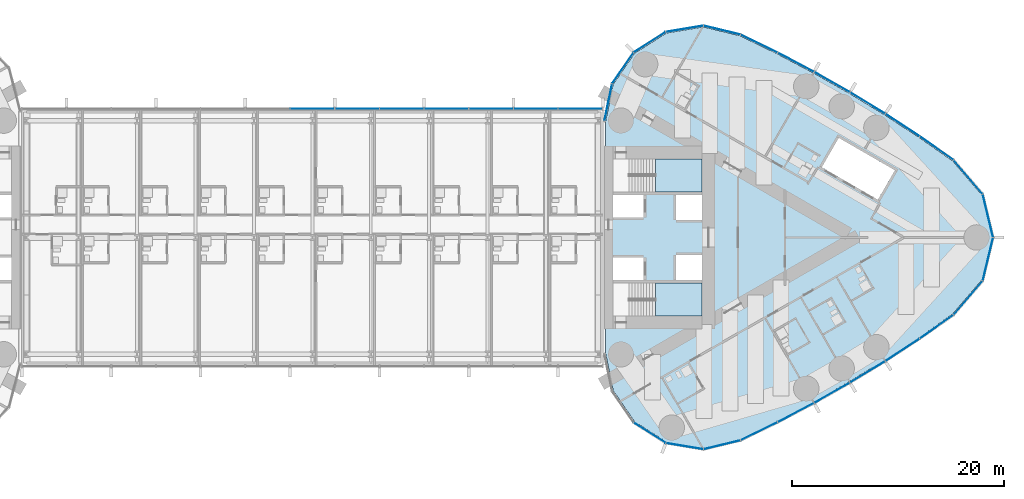
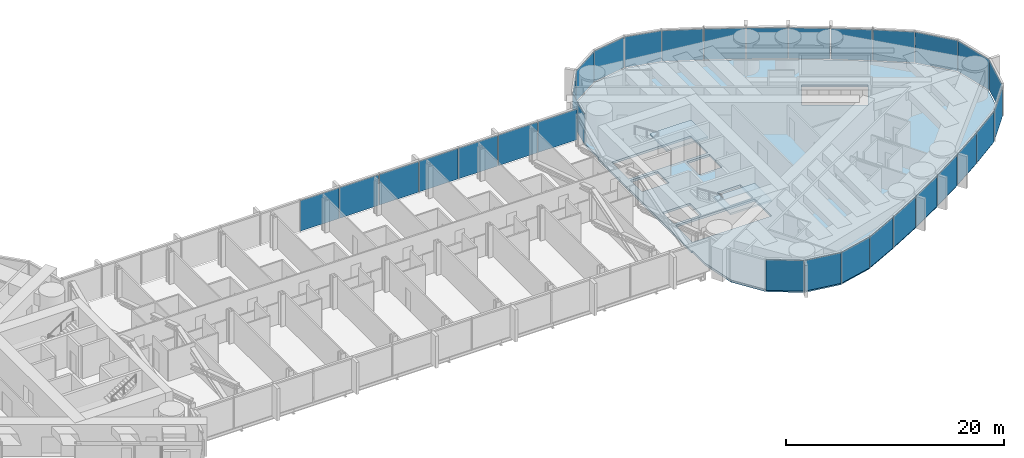
# One storey, part 13 of 23: 31 plates, 3 slabs, 4 elements without a shape of their own.
"""IFC4 building model written with IfcOpenShell, lengths in metres."""

from ifc_helpers import new_model, si_unit, direction, frame, origin, origin_2d, place, context, subcontext, project, spatial, polyline, rectangle, outline, extrude, material, layer, layer_set, type_object, element, aggregate, save


model = new_model("IFC4")

# Units and contexts
model_context = context("Model", 3, precision=1e-05, world=origin(), true_north=direction((0.0, 1.0)))
body_context = subcontext(model_context, "Body", "Model", "MODEL_VIEW")
ifc_project = project(units=[si_unit("LENGTHUNIT", "METRE"), si_unit("AREAUNIT", "SQUARE_METRE"), si_unit("VOLUMEUNIT", "CUBIC_METRE"), si_unit("PLANEANGLEUNIT", "RADIAN"), si_unit("MASSUNIT", "GRAM", prefix="KILO")], contexts=[model_context])

# Site, building, storey
site_placement = place(None, origin())
site = spatial("IfcSite", under=ifc_project, at=site_placement, CompositionType="ELEMENT")
building_placement = place(site_placement, origin())
building = spatial("IfcBuilding", under=site, at=building_placement, Name="Lancet Gate Hotel", CompositionType="ELEMENT")
storey_placement = place(building_placement, frame((0.0, 0.0, 222.5)))
storey = spatial("IfcBuildingStorey", under=building, at=storey_placement, Name="L59", CompositionType="ELEMENT", Elevation=222.5)

# Curtain wall, plates
ifc_material_1 = material(Name="Aluminium curtain wall", Category="aluminium")
curtain_wall_type_1 = type_object("IfcCurtainWallType", Name="Bridge block curtain wall", PredefinedType="USERDEFINED", material=ifc_material_1)
curtain_wall_1_placement = place(storey_placement, origin())
curtain_wall_1 = element("IfcCurtainWall", 1, at=curtain_wall_1_placement, inside=storey, type_object=curtain_wall_type_1, Name="Bridge block L59 curtain wall N", ObjectType="UNITISED CURTAIN WALL", PredefinedType="USERDEFINED")
ifc_material_2 = material(Name="Glass double glazed unit 8-16-6", Category="glass")
ifc_layer_1 = layer(ifc_material_2, 0.030029296875)
ifc_layer_set_1 = layer_set([ifc_layer_1], Name="Block vision panel")
plate_type_1 = type_object("IfcPlateType", Name="Block vision panel", PredefinedType="CURTAIN_PANEL", material=ifc_layer_set_1)
plate_1_placement = place(storey_placement, frame((25.24609375, 12.1201171875, 0.0), z_axis=(0.0, 0.0, 1.0), x_axis=(-1.0, 0.0, 0.0)))
plate_1 = element("IfcPlate", 2, at=plate_1_placement, type_object=plate_type_1, Name="Bridge block L59 curtain wall N panel 1", PredefinedType="CURTAIN_PANEL", context=body_context, shape_type="SweptSolid", body=[
    extrude(rectangle(XDim=4.142578125, YDim=0.030029296875, at=origin_2d()), origin(), (0.0, 0.0, 1.0), 3.449951171875),
])
plate_2_placement = place(storey_placement, frame((21.03857421875, 12.1201171875, 0.0), z_axis=(0.0, 0.0, 1.0), x_axis=(-1.0, 0.0, 0.0)))
plate_2 = element("IfcPlate", 3, at=plate_2_placement, type_object=plate_type_1, Name="Bridge block L59 curtain wall N panel 2", PredefinedType="CURTAIN_PANEL", context=body_context, shape_type="SweptSolid", body=[
    extrude(rectangle(XDim=4.142578125, YDim=0.030029296875, at=origin_2d()), origin(), (0.0, 0.0, 1.0), 3.449951171875),
])
plate_3_placement = place(storey_placement, frame((16.830810546875, 12.1201171875, 0.0), z_axis=(0.0, 0.0, 1.0), x_axis=(-1.0, 0.0, 0.0)))
plate_3 = element("IfcPlate", 4, at=plate_3_placement, type_object=plate_type_1, Name="Bridge block L59 curtain wall N panel 3", PredefinedType="CURTAIN_PANEL", context=body_context, shape_type="SweptSolid", body=[
    extrude(rectangle(XDim=4.142578125, YDim=0.030029296875, at=origin_2d()), origin(), (0.0, 0.0, 1.0), 3.449951171875),
])
plate_4_placement = place(storey_placement, frame((12.623046875, 12.1201171875, 0.0), z_axis=(0.0, 0.0, 1.0), x_axis=(-1.0, 0.0, 0.0)))
plate_4 = element("IfcPlate", 5, at=plate_4_placement, type_object=plate_type_1, Name="Bridge block L59 curtain wall N panel 4", PredefinedType="CURTAIN_PANEL", context=body_context, shape_type="SweptSolid", body=[
    extrude(rectangle(XDim=4.142578125, YDim=0.030029296875, at=origin_2d()), origin(), (0.0, 0.0, 1.0), 3.449951171875),
])
plate_5_placement = place(storey_placement, frame((8.415283203125, 12.1201171875, 0.0), z_axis=(0.0, 0.0, 1.0), x_axis=(-1.0, 0.0, 0.0)))
plate_5 = element("IfcPlate", 6, at=plate_5_placement, type_object=plate_type_1, Name="Bridge block L59 curtain wall N panel 5", PredefinedType="CURTAIN_PANEL", context=body_context, shape_type="SweptSolid", body=[
    extrude(rectangle(XDim=4.142578125, YDim=0.030029296875, at=origin_2d()), origin(), (0.0, 0.0, 1.0), 3.449951171875),
])
plate_6_placement = place(storey_placement, frame((4.207763671875, 12.1201171875, 0.0), z_axis=(0.0, 0.0, 1.0), x_axis=(-1.0, 0.0, 0.0)))
plate_6 = element("IfcPlate", 7, at=plate_6_placement, type_object=plate_type_1, Name="Bridge block L59 curtain wall N panel 6", PredefinedType="CURTAIN_PANEL", context=body_context, shape_type="SweptSolid", body=[
    extrude(rectangle(XDim=4.142578125, YDim=0.030029296875, at=origin_2d()), origin(), (0.0, 0.0, 1.0), 3.449951171875),
])
plate_7_placement = place(storey_placement, frame((0.0, 12.1201171875, 0.0), z_axis=(0.0, 0.0, 1.0), x_axis=(-1.0, 0.0, 0.0)))
plate_7 = element("IfcPlate", 8, at=plate_7_placement, type_object=plate_type_1, Name="Bridge block L59 curtain wall N panel 7", PredefinedType="CURTAIN_PANEL", context=body_context, shape_type="SweptSolid", body=[
    extrude(rectangle(XDim=4.142578125, YDim=0.030029296875, at=origin_2d()), origin(), (0.0, 0.0, 1.0), 3.449951171875),
])
aggregate(curtain_wall_1, [plate_1, plate_2, plate_3, plate_4, plate_5, plate_6, plate_7])

# Slab
ifc_material_3 = material(Name="Concrete C50/60", Category="concrete")
ifc_layer_2 = layer(ifc_material_3, 0.25)
ifc_layer_set_2 = layer_set([ifc_layer_2], Name="Floor slab 250")
slab_type_1 = type_object("IfcSlabType", Name="Floor slab 250", PredefinedType="FLOOR", material=ifc_layer_set_2)
slab_1_placement = place(storey_placement, frame((0.0, 0.0, -0.25)))
element("IfcSlab", 9, at=slab_1_placement, inside=storey, type_object=slab_type_1, Name="T2 L59 floor slab", PredefinedType="FLOOR", context=body_context, shape_type="SweptSolid", body=[
    extrude(outline(polyline([(27.5, -8.60009765625), (27.6201171875, -8.60009765625), (27.6201171875, -10.93603515625), (28.329345703125, -14.419677734375), (30.33740234375, -17.338134765625), (33.326904296875, -19.2392578125), (36.82177734375, -19.81982421875), (40.2763671875, -18.98486328125), (43.753662109375, -17.2890625), (47.18603515625, -15.47998046875), (50.5595703125, -13.56396484375), (53.87158203125, -11.54296875), (57.118408203125, -9.4189453125), (60.2861328125, -7.20166015625), (62.99658203125, -4.03759765625), (63.968017578125, 0.0), (62.99658203125, 4.03759765625), (60.2861328125, 7.20166015625), (57.118408203125, 9.4189453125), (53.87158203125, 11.54296875), (50.5595703125, 13.56396484375), (47.18603515625, 15.47998046875), (43.753662109375, 17.2890625), (40.2763671875, 18.98486328125), (36.82177734375, 19.81982421875), (33.326904296875, 19.2392578125), (30.33740234375, 17.338134765625), (28.329345703125, 14.419677734375), (27.6201171875, 10.93603515625), (27.6201171875, 8.60009765625), (27.5, 8.60009765625), (27.5, 8.199951171875), (27.5, -8.199951171875), (27.5, -8.60009765625)]), holes=[polyline([(36.699951171875, -7.39990234375), (36.699951171875, -4.300048828125), (28.300048828125, -4.300048828125), (28.300048828125, -7.39990234375), (36.699951171875, -7.39990234375)]), polyline([(28.300048828125, -4.0), (31.199951171875, -4.0), (31.199951171875, -1.89990234375), (28.300048828125, -1.89990234375), (28.300048828125, -4.0)]), polyline([(34.25, -4.0), (36.699951171875, -4.0), (36.699951171875, -1.64990234375), (34.25, -1.64990234375), (34.25, -4.0)]), polyline([(36.699951171875, 1.64990234375), (36.699951171875, 4.0), (34.25, 4.0), (34.25, 1.64990234375), (36.699951171875, 1.64990234375)]), polyline([(28.300048828125, 1.89990234375), (31.199951171875, 1.89990234375), (31.199951171875, 4.0), (28.300048828125, 4.0), (28.300048828125, 1.89990234375)]), polyline([(28.300048828125, 4.300048828125), (36.699951171875, 4.300048828125), (36.699951171875, 7.39990234375), (28.300048828125, 7.39990234375), (28.300048828125, 4.300048828125)]), polyline([(53.242919921875, 3.555908203125), (54.843017578125, 6.326904296875), (49.56103515625, 9.376953125), (47.9609375, 6.60595703125), (53.242919921875, 3.555908203125)])]), origin(), (0.0, 0.0, 1.0), 0.25),
])

# Stair, slab
ifc_material_4 = material(Name="Exit stair 20 risers 1500")
stair_type = type_object("IfcStairType", Name="Exit stair 20 risers 1500", PredefinedType="HALF_TURN_STAIR", material=ifc_material_4)
stair_1_placement = place(storey_placement, origin())
stair_1 = element("IfcStair", 10, at=stair_1_placement, inside=storey, type_object=stair_type, Name="T2 stair 1 L59", PredefinedType="HALF_TURN_STAIR")
ifc_material_5 = material(Name="Concrete C40/50", Category="concrete")
ifc_layer_3 = layer(ifc_material_5, 0.199951171875)
ifc_layer_set_3 = layer_set([ifc_layer_3], Name="Stair landing 200")
slab_type_2 = type_object("IfcSlabType", Name="Stair landing 200", PredefinedType="LANDING", material=ifc_layer_set_3)
slab_2_placement = place(storey_placement, frame((0.0, 0.0, 1.60009765625)))
slab_2 = element("IfcSlab", 11, at=slab_2_placement, type_object=slab_type_2, Name="ST3 landing 2", PredefinedType="LANDING", context=body_context, shape_type="SweptSolid", body=[
    extrude(outline(polyline([(32.320068359375, -7.39990234375), (36.699951171875, -7.39990234375), (36.699951171875, -4.300048828125), (32.320068359375, -4.300048828125), (32.320068359375, -7.39990234375)])), origin(), (0.0, 0.0, 1.0), 0.199951171875),
])
aggregate(stair_1, [slab_2])

stair_2_placement = place(storey_placement, origin())
stair_2 = element("IfcStair", 12, at=stair_2_placement, inside=storey, type_object=stair_type, Name="T2 stair 2 L59", PredefinedType="HALF_TURN_STAIR")
slab_3_placement = place(storey_placement, frame((0.0, 0.0, 1.60009765625)))
slab_3 = element("IfcSlab", 13, at=slab_3_placement, type_object=slab_type_2, Name="ST4 landing 2", PredefinedType="LANDING", context=body_context, shape_type="SweptSolid", body=[
    extrude(outline(polyline([(32.320068359375, 4.300048828125), (36.699951171875, 4.300048828125), (36.699951171875, 7.39990234375), (32.320068359375, 7.39990234375), (32.320068359375, 4.300048828125)])), origin(), (0.0, 0.0, 1.0), 0.199951171875),
])
aggregate(stair_2, [slab_3])

# Curtain wall, plates
ifc_material_6 = material(Name="Aluminium curtain wall", Category="aluminium")
curtain_wall_type_2 = type_object("IfcCurtainWallType", Name="Tower unitised curtain wall", PredefinedType="USERDEFINED", material=ifc_material_6)
curtain_wall_2_placement = place(storey_placement, origin())
curtain_wall_2 = element("IfcCurtainWall", 14, at=curtain_wall_2_placement, inside=storey, type_object=curtain_wall_type_2, Name="T2 L59 curtain wall 1", ObjectType="UNITISED CURTAIN WALL", PredefinedType="USERDEFINED")
ifc_material_7 = material(Name="Glass double glazed unit 8-16-6", Category="glass")
ifc_layer_4 = layer(ifc_material_7, 0.030029296875)
ifc_layer_set_4 = layer_set([ifc_layer_4], Name="Vision panel double glazed")
plate_type_2 = type_object("IfcPlateType", Name="Vision panel double glazed", PredefinedType="CURTAIN_PANEL", material=ifc_layer_set_4)
plate_8_placement = place(storey_placement, frame((31.767822265625, -18.389892578125, 0.0), z_axis=(0.0, 0.0, 1.0), x_axis=(0.843845020422, -0.536586974785, 0.0)))
plate_8 = element("IfcPlate", 15, at=plate_8_placement, type_object=plate_type_2, Name="T2 L59 curtain wall 1 panel 3", PredefinedType="CURTAIN_PANEL", context=body_context, shape_type="SweptSolid", body=[
    extrude(rectangle(XDim=3.526611328125, YDim=0.030029296875, at=origin_2d()), origin(), (0.0, 0.0, 1.0), 3.449951171875),
])
plate_9_placement = place(storey_placement, frame((35.0546875, -19.64794921875, 0.0), z_axis=(0.0, 0.0, 1.0), x_axis=(0.986480101775, -0.163881081283, 0.0)))
plate_9 = element("IfcPlate", 16, at=plate_9_placement, type_object=plate_type_2, Name="T2 L59 curtain wall 1 panel 4", PredefinedType="CURTAIN_PANEL", context=body_context, shape_type="SweptSolid", body=[
    extrude(rectangle(XDim=3.526611328125, YDim=0.030029296875, at=origin_2d()), origin(), (0.0, 0.0, 1.0), 3.449951171875),
])
plate_10_placement = place(storey_placement, frame((38.57177734375, -19.520263671875, 0.0), z_axis=(0.0, 0.0, 1.0), x_axis=(0.972013837597, 0.234923603582, 0.0)))
plate_10 = element("IfcPlate", 17, at=plate_10_placement, type_object=plate_type_2, Name="T2 L59 curtain wall 1 panel 5", PredefinedType="CURTAIN_PANEL", context=body_context, shape_type="SweptSolid", body=[
    extrude(rectangle(XDim=3.526611328125, YDim=0.030029296875, at=origin_2d()), origin(), (0.0, 0.0, 1.0), 3.449951171875),
])
plate_11_placement = place(storey_placement, frame((42.062744140625, -18.247314453125, 0.0), z_axis=(0.0, 0.0, 1.0), x_axis=(0.898823462202, 0.438310830114, 0.0)))
plate_11 = element("IfcPlate", 18, at=plate_11_placement, type_object=plate_type_2, Name="T2 L59 curtain wall 1 panel 6", PredefinedType="CURTAIN_PANEL", context=body_context, shape_type="SweptSolid", body=[
    extrude(rectangle(XDim=3.818603515625, YDim=0.030029296875, at=origin_2d()), origin(), (0.0, 0.0, 1.0), 3.449951171875),
])
plate_12_placement = place(storey_placement, frame((45.52587890625, -16.49072265625, 0.0), z_axis=(0.0, 0.0, 1.0), x_axis=(0.884622760861, 0.466307378204, 0.0)))
plate_12 = element("IfcPlate", 19, at=plate_12_placement, type_object=plate_type_2, Name="T2 L59 curtain wall 1 panel 7", PredefinedType="CURTAIN_PANEL", context=body_context, shape_type="SweptSolid", body=[
    extrude(rectangle(XDim=3.818603515625, YDim=0.030029296875, at=origin_2d()), origin(), (0.0, 0.0, 1.0), 3.449951171875),
])
plate_13_placement = place(storey_placement, frame((48.93212890625, -14.626220703125, 0.0), z_axis=(0.0, 0.0, 1.0), x_axis=(0.869550293306, 0.493844395951, 0.0)))
plate_13 = element("IfcPlate", 20, at=plate_13_placement, type_object=plate_type_2, Name="T2 L59 curtain wall 1 panel 8", PredefinedType="CURTAIN_PANEL", context=body_context, shape_type="SweptSolid", body=[
    extrude(rectangle(XDim=3.818603515625, YDim=0.030029296875, at=origin_2d()), origin(), (0.0, 0.0, 1.0), 3.449951171875),
])
plate_14_placement = place(storey_placement, frame((52.278076171875, -12.65576171875, 0.0), z_axis=(0.0, 0.0, 1.0), x_axis=(0.853620912967, 0.520894746513, 0.0)))
plate_14 = element("IfcPlate", 21, at=plate_14_placement, type_object=plate_type_2, Name="T2 L59 curtain wall 1 panel 9", PredefinedType="CURTAIN_PANEL", context=body_context, shape_type="SweptSolid", body=[
    extrude(rectangle(XDim=3.818603515625, YDim=0.030029296875, at=origin_2d()), origin(), (0.0, 0.0, 1.0), 3.449951171875),
])
plate_15_placement = place(storey_placement, frame((55.560791015625, -10.581298828125, 0.0), z_axis=(0.0, 0.0, 1.0), x_axis=(0.83685031771, 0.547431772688, 0.0)))
plate_15 = element("IfcPlate", 22, at=plate_15_placement, type_object=plate_type_2, Name="T2 L59 curtain wall 1 panel 10", PredefinedType="CURTAIN_PANEL", context=body_context, shape_type="SweptSolid", body=[
    extrude(rectangle(XDim=3.818603515625, YDim=0.030029296875, at=origin_2d()), origin(), (0.0, 0.0, 1.0), 3.449951171875),
])
plate_16_placement = place(storey_placement, frame((58.776611328125, -8.40478515625, 0.0), z_axis=(0.0, 0.0, 1.0), x_axis=(0.819255034386, 0.573429323137, 0.0)))
plate_16 = element("IfcPlate", 23, at=plate_16_placement, type_object=plate_type_2, Name="T2 L59 curtain wall 1 panel 11", PredefinedType="CURTAIN_PANEL", context=body_context, shape_type="SweptSolid", body=[
    extrude(rectangle(XDim=3.818603515625, YDim=0.030029296875, at=origin_2d()), origin(), (0.0, 0.0, 1.0), 3.449951171875),
])
plate_17_placement = place(storey_placement, frame((61.737060546875, -5.692626953125, 0.0), z_axis=(0.0, 0.0, 1.0), x_axis=(0.650551562434, 0.759462088991, 0.0)))
plate_17 = element("IfcPlate", 24, at=plate_17_placement, type_object=plate_type_2, Name="T2 L59 curtain wall 1 panel 12", PredefinedType="CURTAIN_PANEL", context=body_context, shape_type="SweptSolid", body=[
    extrude(rectangle(XDim=4.1455078125, YDim=0.030029296875, at=origin_2d()), origin(), (0.0, 0.0, 1.0), 3.449951171875),
])
plate_18_placement = place(storey_placement, frame((63.598876953125, -2.046875, 0.0), z_axis=(0.0, 0.0, 1.0), x_axis=(0.233916001796, 0.972256809749, 0.0)))
plate_18 = element("IfcPlate", 25, at=plate_18_placement, type_object=plate_type_2, Name="T2 L59 curtain wall 1 panel 13", PredefinedType="CURTAIN_PANEL", context=body_context, shape_type="SweptSolid", body=[
    extrude(rectangle(XDim=4.1455078125, YDim=0.030029296875, at=origin_2d()), origin(), (0.0, 0.0, 1.0), 3.449951171875),
])
plate_19_placement = place(storey_placement, frame((63.598876953125, 2.046875, 0.0), z_axis=(0.0, 0.0, 1.0), x_axis=(-0.233916001796, 0.972256809749, 0.0)))
plate_19 = element("IfcPlate", 26, at=plate_19_placement, type_object=plate_type_2, Name="T2 L59 curtain wall 1 panel 14", PredefinedType="CURTAIN_PANEL", context=body_context, shape_type="SweptSolid", body=[
    extrude(rectangle(XDim=4.1455078125, YDim=0.030029296875, at=origin_2d()), origin(), (0.0, 0.0, 1.0), 3.449951171875),
])
plate_20_placement = place(storey_placement, frame((61.737060546875, 5.692626953125, 0.0), z_axis=(0.0, 0.0, 1.0), x_axis=(-0.650551562434, 0.759462088991, 0.0)))
plate_20 = element("IfcPlate", 27, at=plate_20_placement, type_object=plate_type_2, Name="T2 L59 curtain wall 1 panel 15", PredefinedType="CURTAIN_PANEL", context=body_context, shape_type="SweptSolid", body=[
    extrude(rectangle(XDim=4.1455078125, YDim=0.030029296875, at=origin_2d()), origin(), (0.0, 0.0, 1.0), 3.449951171875),
])
plate_21_placement = place(storey_placement, frame((58.776611328125, 8.40478515625, 0.0), z_axis=(0.0, 0.0, 1.0), x_axis=(-0.819255034386, 0.573429323137, 0.0)))
plate_21 = element("IfcPlate", 28, at=plate_21_placement, type_object=plate_type_2, Name="T2 L59 curtain wall 1 panel 16", PredefinedType="CURTAIN_PANEL", context=body_context, shape_type="SweptSolid", body=[
    extrude(rectangle(XDim=3.818603515625, YDim=0.030029296875, at=origin_2d()), origin(), (0.0, 0.0, 1.0), 3.449951171875),
])
plate_22_placement = place(storey_placement, frame((55.560791015625, 10.581298828125, 0.0), z_axis=(0.0, 0.0, 1.0), x_axis=(-0.83685031771, 0.547431772688, 0.0)))
plate_22 = element("IfcPlate", 29, at=plate_22_placement, type_object=plate_type_2, Name="T2 L59 curtain wall 1 panel 17", PredefinedType="CURTAIN_PANEL", context=body_context, shape_type="SweptSolid", body=[
    extrude(rectangle(XDim=3.818603515625, YDim=0.030029296875, at=origin_2d()), origin(), (0.0, 0.0, 1.0), 3.449951171875),
])
plate_23_placement = place(storey_placement, frame((52.278076171875, 12.65576171875, 0.0), z_axis=(0.0, 0.0, 1.0), x_axis=(-0.853620912967, 0.520894746513, 0.0)))
plate_23 = element("IfcPlate", 30, at=plate_23_placement, type_object=plate_type_2, Name="T2 L59 curtain wall 1 panel 18", PredefinedType="CURTAIN_PANEL", context=body_context, shape_type="SweptSolid", body=[
    extrude(rectangle(XDim=3.818603515625, YDim=0.030029296875, at=origin_2d()), origin(), (0.0, 0.0, 1.0), 3.449951171875),
])
plate_24_placement = place(storey_placement, frame((48.93212890625, 14.626220703125, 0.0), z_axis=(0.0, 0.0, 1.0), x_axis=(-0.869550293306, 0.493844395951, 0.0)))
plate_24 = element("IfcPlate", 31, at=plate_24_placement, type_object=plate_type_2, Name="T2 L59 curtain wall 1 panel 19", PredefinedType="CURTAIN_PANEL", context=body_context, shape_type="SweptSolid", body=[
    extrude(rectangle(XDim=3.818603515625, YDim=0.030029296875, at=origin_2d()), origin(), (0.0, 0.0, 1.0), 3.449951171875),
])
plate_25_placement = place(storey_placement, frame((45.52587890625, 16.49072265625, 0.0), z_axis=(0.0, 0.0, 1.0), x_axis=(-0.884622760861, 0.466307378204, 0.0)))
plate_25 = element("IfcPlate", 32, at=plate_25_placement, type_object=plate_type_2, Name="T2 L59 curtain wall 1 panel 20", PredefinedType="CURTAIN_PANEL", context=body_context, shape_type="SweptSolid", body=[
    extrude(rectangle(XDim=3.818603515625, YDim=0.030029296875, at=origin_2d()), origin(), (0.0, 0.0, 1.0), 3.449951171875),
])
plate_26_placement = place(storey_placement, frame((42.062744140625, 18.247314453125, 0.0), z_axis=(0.0, 0.0, 1.0), x_axis=(-0.898823462202, 0.438310830114, 0.0)))
plate_26 = element("IfcPlate", 33, at=plate_26_placement, type_object=plate_type_2, Name="T2 L59 curtain wall 1 panel 21", PredefinedType="CURTAIN_PANEL", context=body_context, shape_type="SweptSolid", body=[
    extrude(rectangle(XDim=3.818603515625, YDim=0.030029296875, at=origin_2d()), origin(), (0.0, 0.0, 1.0), 3.449951171875),
])
plate_27_placement = place(storey_placement, frame((38.57177734375, 19.520263671875, 0.0), z_axis=(0.0, 0.0, 1.0), x_axis=(-0.972013837597, 0.234923603582, 0.0)))
plate_27 = element("IfcPlate", 34, at=plate_27_placement, type_object=plate_type_2, Name="T2 L59 curtain wall 1 panel 22", PredefinedType="CURTAIN_PANEL", context=body_context, shape_type="SweptSolid", body=[
    extrude(rectangle(XDim=3.526611328125, YDim=0.030029296875, at=origin_2d()), origin(), (0.0, 0.0, 1.0), 3.449951171875),
])
plate_28_placement = place(storey_placement, frame((35.0546875, 19.64794921875, 0.0), z_axis=(0.0, 0.0, 1.0), x_axis=(-0.986480101775, -0.163881081283, 0.0)))
plate_28 = element("IfcPlate", 35, at=plate_28_placement, type_object=plate_type_2, Name="T2 L59 curtain wall 1 panel 23", PredefinedType="CURTAIN_PANEL", context=body_context, shape_type="SweptSolid", body=[
    extrude(rectangle(XDim=3.526611328125, YDim=0.030029296875, at=origin_2d()), origin(), (0.0, 0.0, 1.0), 3.449951171875),
])
plate_29_placement = place(storey_placement, frame((31.767822265625, 18.389892578125, 0.0), z_axis=(0.0, 0.0, 1.0), x_axis=(-0.843845020422, -0.536586974785, 0.0)))
plate_29 = element("IfcPlate", 36, at=plate_29_placement, type_object=plate_type_2, Name="T2 L59 curtain wall 1 panel 24", PredefinedType="CURTAIN_PANEL", context=body_context, shape_type="SweptSolid", body=[
    extrude(rectangle(XDim=3.526611328125, YDim=0.030029296875, at=origin_2d()), origin(), (0.0, 0.0, 1.0), 3.449951171875),
])
plate_30_placement = place(storey_placement, frame((29.234619140625, 15.947021484375, 0.0), z_axis=(0.0, 0.0, 1.0), x_axis=(-0.566823864908, -0.823839005007, 0.0)))
plate_30 = element("IfcPlate", 37, at=plate_30_placement, type_object=plate_type_2, Name="T2 L59 curtain wall 1 panel 25", PredefinedType="CURTAIN_PANEL", context=body_context, shape_type="SweptSolid", body=[
    extrude(rectangle(XDim=3.526611328125, YDim=0.030029296875, at=origin_2d()), origin(), (0.0, 0.0, 1.0), 3.449951171875),
])
plate_31_placement = place(storey_placement, frame((27.8583984375, 12.707763671875, 0.0), z_axis=(0.0, 0.0, 1.0), x_axis=(-0.199533486841, -0.979891008036, 0.0)))
plate_31 = element("IfcPlate", 38, at=plate_31_placement, type_object=plate_type_2, Name="T2 L59 curtain wall 1 panel 26", PredefinedType="CURTAIN_PANEL", context=body_context, shape_type="SweptSolid", body=[
    extrude(rectangle(XDim=3.526611328125, YDim=0.030029296875, at=origin_2d()), origin(), (0.0, 0.0, 1.0), 3.449951171875),
])
aggregate(curtain_wall_2, [plate_8, plate_9, plate_10, plate_11, plate_12, plate_13, plate_14, plate_15, plate_16, plate_17, plate_18, plate_19, plate_20, plate_21, plate_22, plate_23, plate_24, plate_25, plate_26, plate_27, plate_28, plate_29, plate_30, plate_31])

save(model, "model.ifc")
